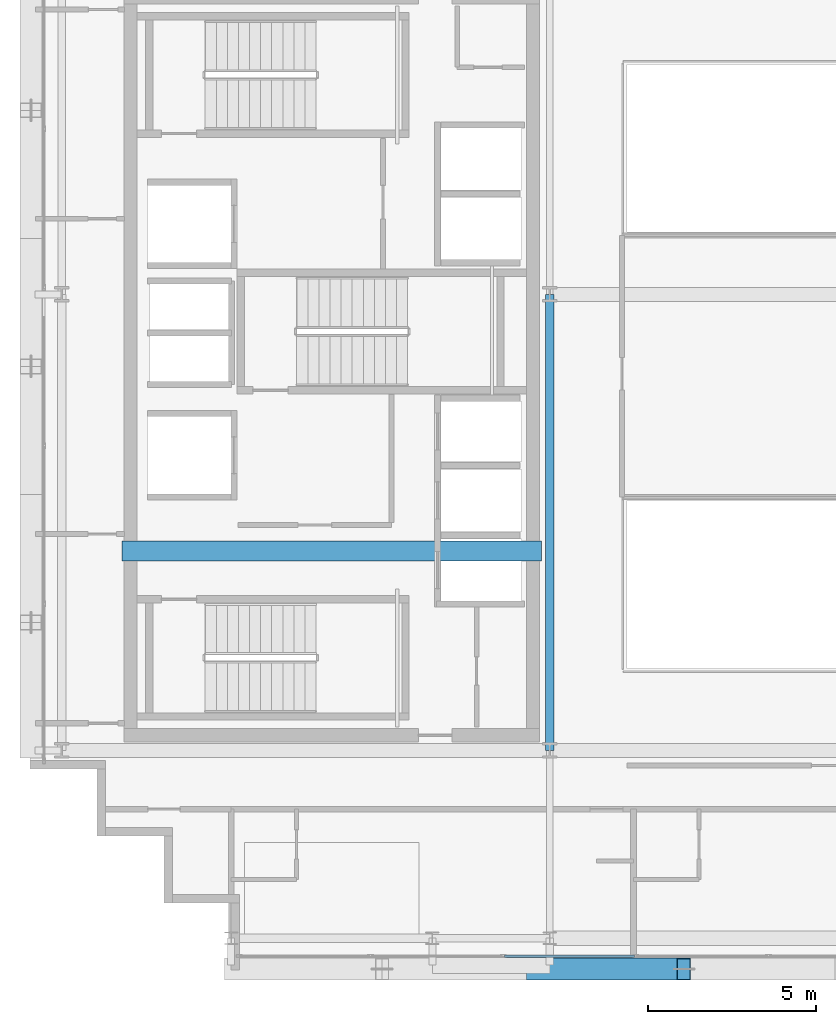
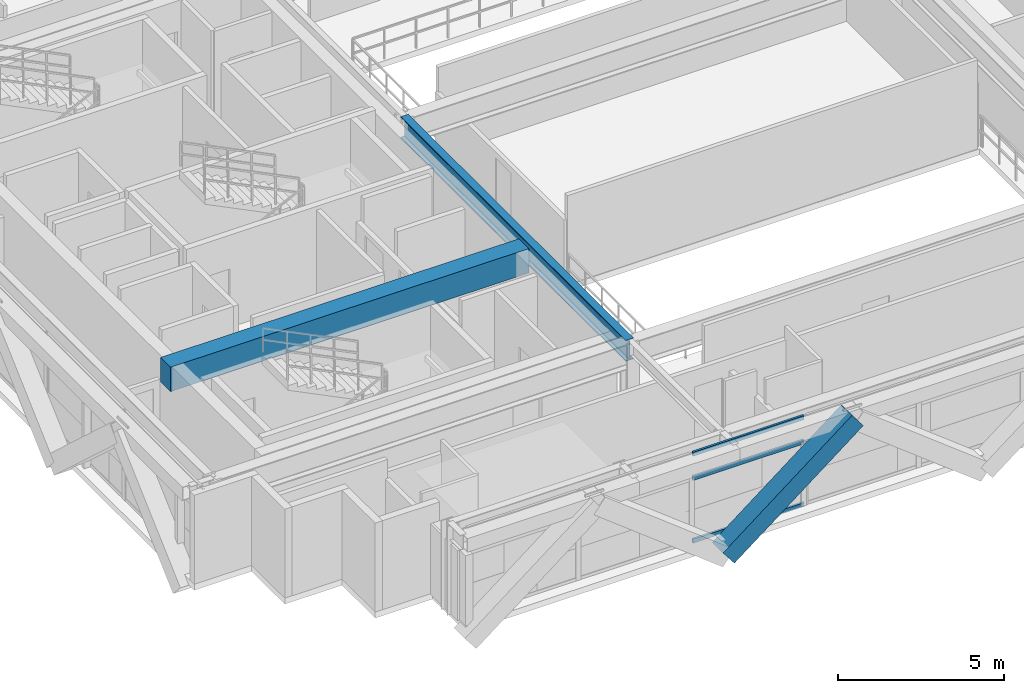
# One storey, part 4 of 28: 4 members, 2 beams, 1 element without a shape of its own.
"""IFC4 building model written with IfcOpenShell, lengths in metres."""

from ifc_helpers import new_model, si_unit, direction, frame, origin, origin_2d, place, context, subcontext, project, spatial, rectangle, hollow_rectangle, i_section, extrude, source, transform, mapped, material, layer, layer_set, material_profile, profile_set, type_object, element, aggregate, save


model = new_model("IFC4")

# Units and contexts
model_context = context("Model", 3, precision=1e-05, world=origin(), true_north=direction((0.0, 1.0)))
body_context = subcontext(model_context, "Body", "Model", "MODEL_VIEW")
ifc_project = project(units=[si_unit("LENGTHUNIT", "METRE"), si_unit("AREAUNIT", "SQUARE_METRE"), si_unit("VOLUMEUNIT", "CUBIC_METRE"), si_unit("PLANEANGLEUNIT", "RADIAN"), si_unit("MASSUNIT", "GRAM", prefix="KILO")], contexts=[model_context])

# Site, building, storey
site_placement = place(None, origin())
site = spatial("IfcSite", under=ifc_project, at=site_placement, CompositionType="ELEMENT")
building_placement = place(site_placement, origin())
building = spatial("IfcBuilding", under=site, at=building_placement, Name="Ocotamira Hotel", CompositionType="ELEMENT")
storey_placement = place(building_placement, frame((0.0, 0.0, 243.60009765625)))
storey = spatial("IfcBuildingStorey", under=building, at=storey_placement, Name="L61", CompositionType="ELEMENT", Elevation=243.60009765625)

# Beams
ifc_material_1 = material(Name="Concrete C50/60", Category="concrete")
ifc_material_profile_1 = material_profile(ifc_material_1, rectangle(XDim=0.60009765625, YDim=0.89990234375, at=origin_2d()), Name="RC600X900")
ifc_profile_set_1 = profile_set([ifc_material_profile_1], Name="Concrete C50/60")
beam_type_1 = type_object("IfcBeamType", Name="BM-LINK-RC600", PredefinedType="LINTEL", material=ifc_profile_set_1)
shared_shape_1 = source(origin(), body_context, "Body", "SweptSolid", [
    extrude(rectangle(XDim=0.60009765625, YDim=0.89990234375, at=origin_2d()), origin(), (0.0, 0.0, 1.0), 12.5),
])
beam_1_placement = place(storey_placement, frame((10.75, 20.5, 2.829833984375), z_axis=(1.0, 0.0, 0.0), x_axis=(0.0, 1.0, 0.0)))
element("IfcBeam", 1, at=beam_1_placement, inside=storey, type_object=beam_type_1, Name="L61 West Core Coupling Beam", PredefinedType="LINTEL", context=body_context, shape_type="MappedRepresentation", body=[
    mapped(shared_shape_1, transform((0.0, 0.0, 0.0), scale=1.0)),
])
ifc_material_2 = material(Name="Steel ASTM A992 Grade 50", Category="steel")
ifc_material_profile_2 = material_profile(ifc_material_2, i_section(OverallWidth=0.26611328125, OverallDepth=0.779052734375, WebThickness=0.0166015625, FlangeThickness=0.030029296875, FilletRadius=0.01806640625, at=origin_2d()), Name="W30X148")
ifc_profile_set_2 = profile_set([ifc_material_profile_2], Name="Steel ASTM A992 Grade 50")
beam_type_2 = type_object("IfcBeamType", Name="BM-GIRD-W30X148", PredefinedType="BEAM", material=ifc_profile_set_2)
shared_shape_2 = source(origin(), body_context, "Body", "SweptSolid", [
    extrude(i_section(OverallWidth=0.26611328125, OverallDepth=0.779052734375, WebThickness=0.0166015625, FlangeThickness=0.030029296875, FilletRadius=0.01806640625, at=origin_2d()), origin(), (0.0, 0.0, 1.0), 13.599853515625),
])
beam_2_placement = place(storey_placement, frame((23.5, 14.550048828125, 2.890380859375), z_axis=(0.0, 1.0, 0.0), x_axis=(-1.0, 0.0, 0.0)))
element("IfcBeam", 2, at=beam_2_placement, inside=storey, type_object=beam_type_2, Name="L61 Beam X23.5 Y14.55-28.15", PredefinedType="BEAM", context=body_context, shape_type="MappedRepresentation", body=[
    mapped(shared_shape_2, transform((0.0, 0.0, 0.0), scale=1.0)),
])

# Member
ifc_material_3 = material(Name="Pale-metal coated steel ASTM A913 Grade 65", Category="steel")
ifc_material_profile_3 = material_profile(ifc_material_3, hollow_rectangle(XDim=0.64990234375, YDim=0.64990234375, WallThickness=0.02197265625, at=origin_2d()), Name="BOX650X650X22")
ifc_profile_set_3 = profile_set([ifc_material_profile_3], Name="Pale-metal coated steel ASTM A913 Grade 65")
member_type_1 = type_object("IfcMemberType", Name="MEM-EXO-BOX650", PredefinedType="BRACE", material=ifc_profile_set_3)
shared_shape_3 = source(origin(), body_context, "Body", "SweptSolid", [
    extrude(hollow_rectangle(XDim=0.64990234375, YDim=0.64990234375, WallThickness=0.02197265625, at=origin_2d()), origin(), (0.0, 0.0, 1.0), 5.700927734375),
])
member_1_placement = place(storey_placement, frame((23.0, 8.030029296875, -0.47021484375), z_axis=(0.789352217376, 0.0, 0.613940613515), x_axis=(0.0, 1.0, 0.0)))
element("IfcMember", 3, at=member_1_placement, inside=storey, type_object=member_type_1, Name="L61 Exoskeleton Diagrid S1.1", PredefinedType="BRACE", context=body_context, shape_type="MappedRepresentation", body=[
    mapped(shared_shape_3, transform((0.0, 0.0, 0.0), scale=1.0)),
])

# Curtain wall, members
ifc_material_4 = material(Name="Anodised pale-metal aluminium and solar glass", Category="aluminium")
ifc_layer = layer(ifc_material_4, 0.239990234375)
ifc_layer_set = layer_set([ifc_layer], Name="Anodised pale-metal aluminium and solar glass")
curtain_wall_type = type_object("IfcCurtainWallType", Name="CW-SYS5-SKY", PredefinedType="NOTDEFINED", material=ifc_layer_set)
curtain_wall_placement = place(storey_placement, origin())
curtain_wall = element("IfcCurtainWall", 4, at=curtain_wall_placement, inside=storey, type_object=curtain_wall_type, Name="L61 Curtain Wall CW-5 CW-L61-S1", PredefinedType="NOTDEFINED")
ifc_material_5 = material(Name="Anodised pale-metal aluminium 6063-T6", Category="aluminium")
ifc_material_profile_4 = material_profile(ifc_material_5, hollow_rectangle(XDim=0.074951171875, YDim=0.14990234375, WallThickness=0.006103515625, at=origin_2d()), Name="HSS150X75X6")
ifc_profile_set_4 = profile_set([ifc_material_profile_4], Name="Anodised pale-metal aluminium 6063-T6")
member_type_2 = type_object("IfcMemberType", Name="CWT-150X75", PredefinedType="USERDEFINED", material=ifc_profile_set_4)
shared_shape_4 = source(origin(), body_context, "Body", "SweptSolid", [
    extrude(hollow_rectangle(XDim=0.074951171875, YDim=0.14990234375, WallThickness=0.006103515625, at=origin_2d()), origin(), (0.0, 0.0, 1.0), 3.87548828125),
])
member_2_placement = place(storey_placement, frame((22.151123046875, 8.419921875, 0.037353515625), z_axis=(1.0, 0.0, 0.0), x_axis=(0.0, 1.0, 0.0)))
member_2 = element("IfcMember", 5, at=member_2_placement, type_object=member_type_2, Name="CW-5 transom 3.1", ObjectType="TRANSOM", PredefinedType="USERDEFINED", context=body_context, shape_type="MappedRepresentation", body=[
    mapped(shared_shape_4, transform((0.0, 0.0, 0.0), scale=1.0)),
])
member_3_placement = place(storey_placement, frame((22.151123046875, 8.419921875, 2.349853515625), z_axis=(1.0, 0.0, 0.0), x_axis=(0.0, 1.0, 0.0)))
member_3 = element("IfcMember", 6, at=member_3_placement, type_object=member_type_2, Name="CW-5 transom 3.2", ObjectType="TRANSOM", PredefinedType="USERDEFINED", context=body_context, shape_type="MappedRepresentation", body=[
    mapped(shared_shape_4, transform((0.0, 0.0, 0.0), scale=1.0)),
])
member_4_placement = place(storey_placement, frame((22.151123046875, 8.419921875, 3.242431640625), z_axis=(1.0, 0.0, 0.0), x_axis=(0.0, 1.0, 0.0)))
member_4 = element("IfcMember", 7, at=member_4_placement, type_object=member_type_2, Name="CW-5 transom 3.3", ObjectType="TRANSOM", PredefinedType="USERDEFINED", context=body_context, shape_type="MappedRepresentation", body=[
    mapped(shared_shape_4, transform((0.0, 0.0, 0.0), scale=1.0)),
])
aggregate(curtain_wall, [member_2, member_3, member_4])

save(model, "model.ifc")
